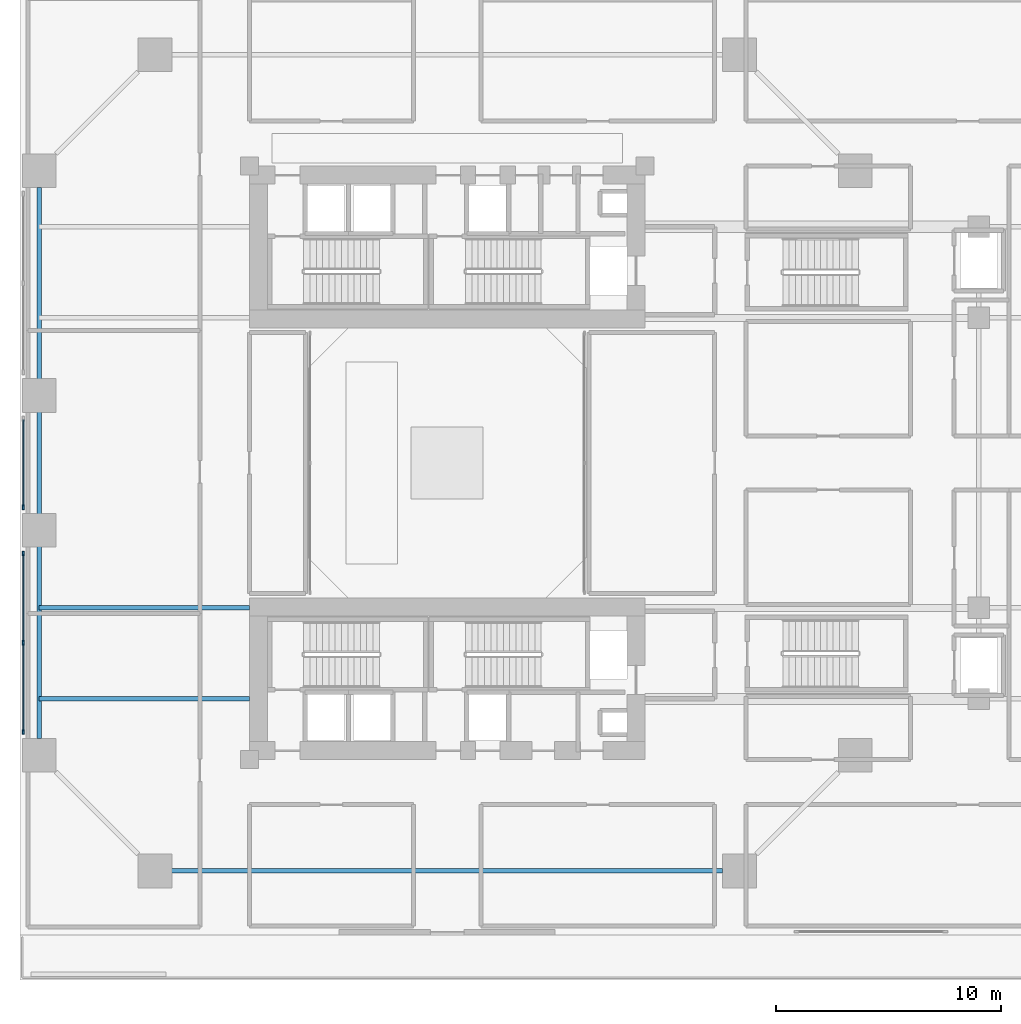
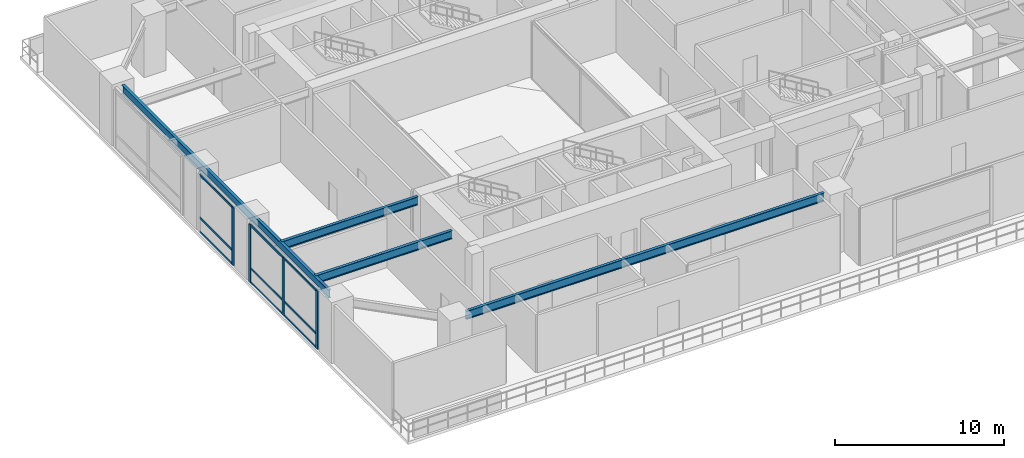
# One storey, part 2 of 19: 13 members, 4 beams, 2 elements without a shape of their own.
"""IFC4 building model written with IfcOpenShell, lengths in metres."""

from ifc_helpers import new_model, si_unit, direction, frame, origin, origin_2d, place, context, subcontext, project, spatial, rectangle, i_section, extrude, source, transform, mapped, material, layer, layer_set, material_profile, profile_set, type_object, element, aggregate, save


model = new_model("IFC4")

# Units and contexts
model_context = context("Model", 3, precision=1e-05, world=origin(), true_north=direction((0.0, 1.0)))
body_context = subcontext(model_context, "Body", "Model", "MODEL_VIEW")
ifc_project = project(units=[si_unit("LENGTHUNIT", "METRE"), si_unit("AREAUNIT", "SQUARE_METRE"), si_unit("VOLUMEUNIT", "CUBIC_METRE"), si_unit("PLANEANGLEUNIT", "RADIAN"), si_unit("MASSUNIT", "GRAM", prefix="KILO"), si_unit("THERMODYNAMICTEMPERATUREUNIT", "KELVIN"), si_unit("POWERUNIT", "WATT")], contexts=[model_context])

# Site, building, storey
site_placement = place(None, origin())
site = spatial("IfcSite", under=ifc_project, at=site_placement, CompositionType="ELEMENT")
building_placement = place(site_placement, origin())
building = spatial("IfcBuilding", under=site, at=building_placement, Name="Qiaomeng Ring Towers", CompositionType="ELEMENT")
storey_placement = place(building_placement, frame((0.0, 0.0, 5.0)))
storey = spatial("IfcBuildingStorey", under=building, at=storey_placement, Name="L01", CompositionType="ELEMENT", Elevation=5.0)

# Beams
ifc_material_1 = material(Name="Steel Q355B", Category="steel")
ifc_material_profile_1 = material_profile(ifc_material_1, i_section(OverallWidth=0.199951171875, OverallDepth=0.60009765625, WebThickness=0.010986328125, FlangeThickness=0.01708984375, FilletRadius=0.02197265625, at=origin_2d()), Name="HN 600x200x11x17")
ifc_profile_set_1 = profile_set([ifc_material_profile_1], Name="Steel Q355B")
beam_type = type_object("IfcBeamType", Name="STR-BM-HN600", PredefinedType="BEAM", material=ifc_profile_set_1)
shared_shape_1 = source(origin(), body_context, "Body", "SweptSolid", [
    extrude(i_section(OverallWidth=0.199951171875, OverallDepth=0.60009765625, WebThickness=0.010986328125, FlangeThickness=0.01708984375, FilletRadius=0.02197265625, at=origin_2d()), origin(), (0.0, 0.0, 1.0), 24.501953125),
])
for number, where, z_axis, x_axis, name in (
    (1, (0.85009765625, 10.7490234375, 3.8798828125), (0.0, 1.0, 0.0), (-1.0, 0.0, 0.0), "L01 beam STR-SP-L01-WL"),
    (2, (6.7490234375, 4.85009765625, 3.8798828125), (1.0, 0.0, 0.0), (0.0, 1.0, 0.0), "L01 beam STR-SP-L01-T1-1"),
):
    element("IfcBeam", number, at=place(storey_placement, frame(where, z_axis=z_axis, x_axis=x_axis)), inside=storey, type_object=beam_type, Name=name, PredefinedType="BEAM", context=body_context, shape_type="MappedRepresentation", body=[
        mapped(shared_shape_1, transform((0.0, 0.0, 0.0), x_axis=(1.0, 0.0, 0.0), y_axis=(0.0, 1.0, 0.0), z_axis=(0.0, 0.0, 1.0), scale=1.0)),
    ])
shared_shape_2 = source(origin(), body_context, "Body", "SweptSolid", [
    extrude(i_section(OverallWidth=0.199951171875, OverallDepth=0.60009765625, WebThickness=0.010986328125, FlangeThickness=0.01708984375, FilletRadius=0.02197265625, at=origin_2d()), origin(), (0.0, 0.0, 1.0), 9.349853515625),
])
for number, where, z_axis, x_axis, name in (
    (3, (0.85009765625, 12.5, 3.8798828125), (1.0, 0.0, 0.0), (0.0, 1.0, 0.0), "L01 beam STR-BM-L01-W-0"),
    (4, (0.85009765625, 16.550048828125, 3.8798828125), (1.0, 0.0, 0.0), (0.0, 1.0, 0.0), "L01 beam STR-BM-L01-W-1"),
):
    element("IfcBeam", number, at=place(storey_placement, frame(where, z_axis=z_axis, x_axis=x_axis)), inside=storey, type_object=beam_type, Name=name, PredefinedType="BEAM", context=body_context, shape_type="MappedRepresentation", body=[
        mapped(shared_shape_2, transform((0.0, 0.0, 0.0), x_axis=(1.0, 0.0, 0.0), y_axis=(0.0, 1.0, 0.0), z_axis=(0.0, 0.0, 1.0), scale=1.0)),
    ])

# Curtain wall, members
ifc_material_2 = material(Name="Fluorocarbon dark-grey aluminium", Category="aluminium")
ifc_layer = layer(ifc_material_2, 0.179931640625, Name="Fluorocarbon dark-grey aluminium")
ifc_layer_set = layer_set([ifc_layer], Name="Fluorocarbon dark-grey aluminium")
curtain_wall_type = type_object("IfcCurtainWallType", Name="ARC-CW-1", PredefinedType="NOTDEFINED", material=ifc_layer_set)
curtain_wall_1_placement = place(storey_placement, origin())
curtain_wall_1 = element("IfcCurtainWall", 5, at=curtain_wall_1_placement, inside=storey, type_object=curtain_wall_type, Name="L01 Curtain Wall CW1", PredefinedType="NOTDEFINED")
ifc_material_profile_2 = material_profile(ifc_material_2, rectangle(XDim=0.070068359375, YDim=0.139892578125, at=origin_2d()), Name="ALU TRAN 70x140")
ifc_profile_set_2 = profile_set([ifc_material_profile_2], Name="Fluorocarbon dark-grey aluminium")
member_type_1 = type_object("IfcMemberType", Name="ARC-CWT-140", PredefinedType="USERDEFINED", material=ifc_profile_set_2)
shared_shape_3 = source(origin(), body_context, "Body", "SweptSolid", [
    extrude(rectangle(XDim=0.070068359375, YDim=0.139892578125, at=origin_2d()), origin(), (0.0, 0.0, 1.0), 3.889892578125),
])
member_1_placement = place(storey_placement, frame((0.14990234375, 11.070068359375, 0.034912109375), z_axis=(0.0, 1.0, 0.0), x_axis=(-1.0, 0.0, 0.0)))
member_1 = element("IfcMember", 6, at=member_1_placement, type_object=member_type_1, Name="CW1 transom 1.1", ObjectType="TRANSOM", PredefinedType="USERDEFINED", context=body_context, shape_type="MappedRepresentation", body=[
    mapped(shared_shape_3, transform((0.0, 0.0, 0.0), x_axis=(1.0, 0.0, 0.0), y_axis=(0.0, 1.0, 0.0), z_axis=(0.0, 0.0, 1.0), scale=1.0)),
])
member_2_placement = place(storey_placement, frame((0.14990234375, 11.070068359375, 1.050048828125), z_axis=(0.0, 1.0, 0.0), x_axis=(-1.0, 0.0, 0.0)))
member_2 = element("IfcMember", 7, at=member_2_placement, type_object=member_type_1, Name="CW1 transom 1.2", ObjectType="TRANSOM", PredefinedType="USERDEFINED", context=body_context, shape_type="MappedRepresentation", body=[
    mapped(shared_shape_3, transform((0.0, 0.0, 0.0), x_axis=(1.0, 0.0, 0.0), y_axis=(0.0, 1.0, 0.0), z_axis=(0.0, 0.0, 1.0), scale=1.0)),
])
member_3_placement = place(storey_placement, frame((0.14990234375, 11.070068359375, 4.14501953125), z_axis=(0.0, 1.0, 0.0), x_axis=(-1.0, 0.0, 0.0)))
member_3 = element("IfcMember", 8, at=member_3_placement, type_object=member_type_1, Name="CW1 transom 1.3", ObjectType="TRANSOM", PredefinedType="USERDEFINED", context=body_context, shape_type="MappedRepresentation", body=[
    mapped(shared_shape_3, transform((0.0, 0.0, 0.0), x_axis=(1.0, 0.0, 0.0), y_axis=(0.0, 1.0, 0.0), z_axis=(0.0, 0.0, 1.0), scale=1.0)),
])
member_4_placement = place(storey_placement, frame((0.14990234375, 15.0400390625, 0.034912109375), z_axis=(0.0, 1.0, 0.0), x_axis=(-1.0, 0.0, 0.0)))
member_4 = element("IfcMember", 9, at=member_4_placement, type_object=member_type_1, Name="CW1 transom 2.1", ObjectType="TRANSOM", PredefinedType="USERDEFINED", context=body_context, shape_type="MappedRepresentation", body=[
    mapped(shared_shape_3, transform((0.0, 0.0, 0.0), x_axis=(1.0, 0.0, 0.0), y_axis=(0.0, 1.0, 0.0), z_axis=(0.0, 0.0, 1.0), scale=1.0)),
])
member_5_placement = place(storey_placement, frame((0.14990234375, 15.0400390625, 1.050048828125), z_axis=(0.0, 1.0, 0.0), x_axis=(-1.0, 0.0, 0.0)))
member_5 = element("IfcMember", 10, at=member_5_placement, type_object=member_type_1, Name="CW1 transom 2.2", ObjectType="TRANSOM", PredefinedType="USERDEFINED", context=body_context, shape_type="MappedRepresentation", body=[
    mapped(shared_shape_3, transform((0.0, 0.0, 0.0), x_axis=(1.0, 0.0, 0.0), y_axis=(0.0, 1.0, 0.0), z_axis=(0.0, 0.0, 1.0), scale=1.0)),
])
member_6_placement = place(storey_placement, frame((0.14990234375, 15.0400390625, 4.14501953125), z_axis=(0.0, 1.0, 0.0), x_axis=(-1.0, 0.0, 0.0)))
member_6 = element("IfcMember", 11, at=member_6_placement, type_object=member_type_1, Name="CW1 transom 2.3", ObjectType="TRANSOM", PredefinedType="USERDEFINED", context=body_context, shape_type="MappedRepresentation", body=[
    mapped(shared_shape_3, transform((0.0, 0.0, 0.0), x_axis=(1.0, 0.0, 0.0), y_axis=(0.0, 1.0, 0.0), z_axis=(0.0, 0.0, 1.0), scale=1.0)),
])

curtain_wall_2_placement = place(storey_placement, origin())
curtain_wall_2 = element("IfcCurtainWall", 12, at=curtain_wall_2_placement, inside=storey, type_object=curtain_wall_type, Name="L01 Curtain Wall CW1", PredefinedType="NOTDEFINED")
shared_shape_4 = source(origin(), body_context, "Body", "SweptSolid", [
    extrude(rectangle(XDim=0.070068359375, YDim=0.139892578125, at=origin_2d()), origin(), (0.0, 0.0, 1.0), 3.85986328125),
])
member_7_placement = place(storey_placement, frame((0.14990234375, 21.070068359375, 0.034912109375), z_axis=(0.0, 1.0, 0.0), x_axis=(-1.0, 0.0, 0.0)))
member_7 = element("IfcMember", 13, at=member_7_placement, type_object=member_type_1, Name="CW1 transom 1.1", ObjectType="TRANSOM", PredefinedType="USERDEFINED", context=body_context, shape_type="MappedRepresentation", body=[
    mapped(shared_shape_4, transform((0.0, 0.0, 0.0), x_axis=(1.0, 0.0, 0.0), y_axis=(0.0, 1.0, 0.0), z_axis=(0.0, 0.0, 1.0), scale=1.0)),
])
member_8_placement = place(storey_placement, frame((0.14990234375, 21.070068359375, 1.050048828125), z_axis=(0.0, 1.0, 0.0), x_axis=(-1.0, 0.0, 0.0)))
member_8 = element("IfcMember", 14, at=member_8_placement, type_object=member_type_1, Name="CW1 transom 1.2", ObjectType="TRANSOM", PredefinedType="USERDEFINED", context=body_context, shape_type="MappedRepresentation", body=[
    mapped(shared_shape_4, transform((0.0, 0.0, 0.0), x_axis=(1.0, 0.0, 0.0), y_axis=(0.0, 1.0, 0.0), z_axis=(0.0, 0.0, 1.0), scale=1.0)),
])
member_9_placement = place(storey_placement, frame((0.14990234375, 21.070068359375, 4.14501953125), z_axis=(0.0, 1.0, 0.0), x_axis=(-1.0, 0.0, 0.0)))
member_9 = element("IfcMember", 15, at=member_9_placement, type_object=member_type_1, Name="CW1 transom 1.3", ObjectType="TRANSOM", PredefinedType="USERDEFINED", context=body_context, shape_type="MappedRepresentation", body=[
    mapped(shared_shape_4, transform((0.0, 0.0, 0.0), x_axis=(1.0, 0.0, 0.0), y_axis=(0.0, 1.0, 0.0), z_axis=(0.0, 0.0, 1.0), scale=1.0)),
])

# Member
ifc_material_profile_3 = material_profile(ifc_material_2, rectangle(XDim=0.080078125, YDim=0.219970703125, at=origin_2d()), Name="ALU MULL 80x220")
ifc_profile_set_3 = profile_set([ifc_material_profile_3], Name="Fluorocarbon dark-grey aluminium")
member_type_2 = type_object("IfcMemberType", Name="ARC-CWM-180", PredefinedType="MULLION", material=ifc_profile_set_3)
shared_shape_5 = source(origin(), body_context, "Body", "SweptSolid", [
    extrude(rectangle(XDim=0.080078125, YDim=0.219970703125, at=origin_2d()), origin(), (0.0, 0.0, 1.0), 4.179931640625),
])
member_10_placement = place(storey_placement, frame((0.14990234375, 11.030029296875, 0.0), z_axis=(0.0, 0.0, 1.0), x_axis=(-1.0, 0.0, 0.0)))
member_10 = element("IfcMember", 16, at=member_10_placement, type_object=member_type_2, Name="CW1 mullion 1", PredefinedType="MULLION", context=body_context, shape_type="MappedRepresentation", body=[
    mapped(shared_shape_5, transform((0.0, 0.0, 0.0), x_axis=(1.0, 0.0, 0.0), y_axis=(0.0, 1.0, 0.0), z_axis=(0.0, 0.0, 1.0), scale=1.0)),
])

member_11_placement = place(storey_placement, frame((0.14990234375, 15.0, 0.0), z_axis=(0.0, 0.0, 1.0), x_axis=(-1.0, 0.0, 0.0)))
member_11 = element("IfcMember", 17, at=member_11_placement, type_object=member_type_2, Name="CW1 mullion 2", PredefinedType="MULLION", context=body_context, shape_type="MappedRepresentation", body=[
    mapped(shared_shape_5, transform((0.0, 0.0, 0.0), x_axis=(1.0, 0.0, 0.0), y_axis=(0.0, 1.0, 0.0), z_axis=(0.0, 0.0, 1.0), scale=1.0)),
])

member_12_placement = place(storey_placement, frame((0.14990234375, 18.969970703125, 0.0), z_axis=(0.0, 0.0, 1.0), x_axis=(-1.0, 0.0, 0.0)))
member_12 = element("IfcMember", 18, at=member_12_placement, type_object=member_type_2, Name="CW1 mullion 3", PredefinedType="MULLION", context=body_context, shape_type="MappedRepresentation", body=[
    mapped(shared_shape_5, transform((0.0, 0.0, 0.0), x_axis=(1.0, 0.0, 0.0), y_axis=(0.0, 1.0, 0.0), z_axis=(0.0, 0.0, 1.0), scale=1.0)),
])

aggregate(curtain_wall_1, [member_10, member_11, member_12, member_1, member_2, member_3, member_4, member_5, member_6])

member_13_placement = place(storey_placement, frame((0.14990234375, 21.030029296875, 0.0), z_axis=(0.0, 0.0, 1.0), x_axis=(-1.0, 0.0, 0.0)))
member_13 = element("IfcMember", 19, at=member_13_placement, type_object=member_type_2, Name="CW1 mullion 1", PredefinedType="MULLION", context=body_context, shape_type="MappedRepresentation", body=[
    mapped(shared_shape_5, transform((0.0, 0.0, 0.0), x_axis=(1.0, 0.0, 0.0), y_axis=(0.0, 1.0, 0.0), z_axis=(0.0, 0.0, 1.0), scale=1.0)),
])

aggregate(curtain_wall_2, [member_13, member_7, member_8, member_9])

save(model, "model.ifc")
